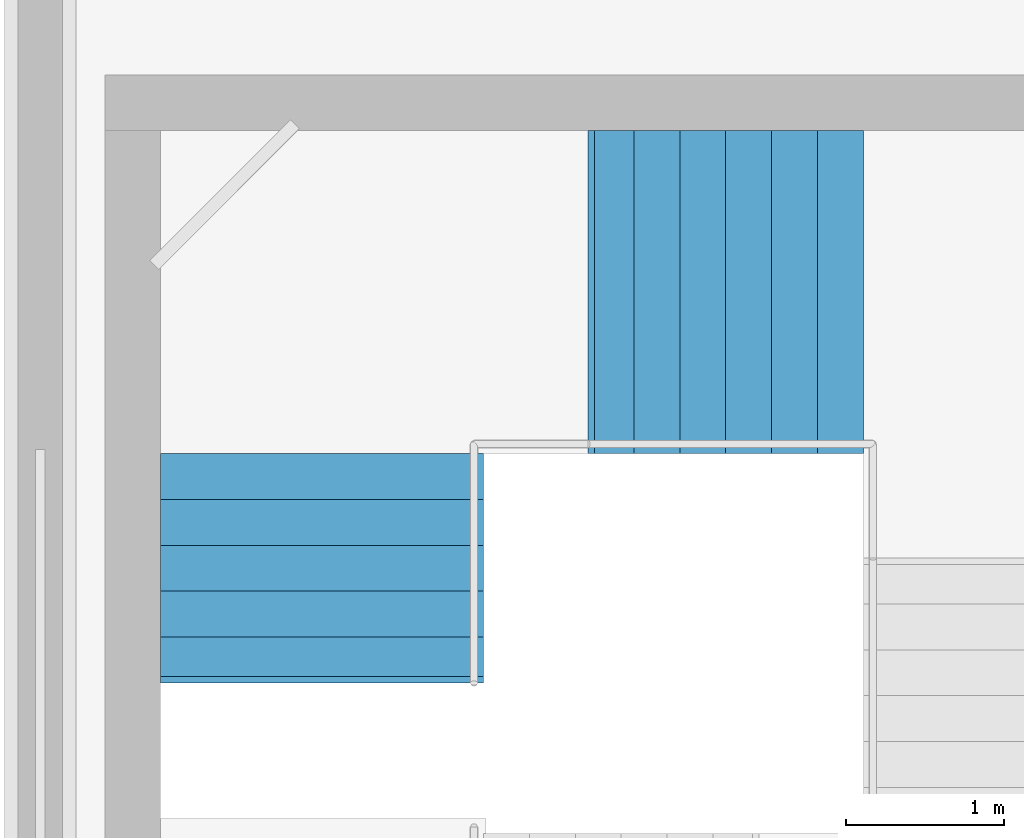
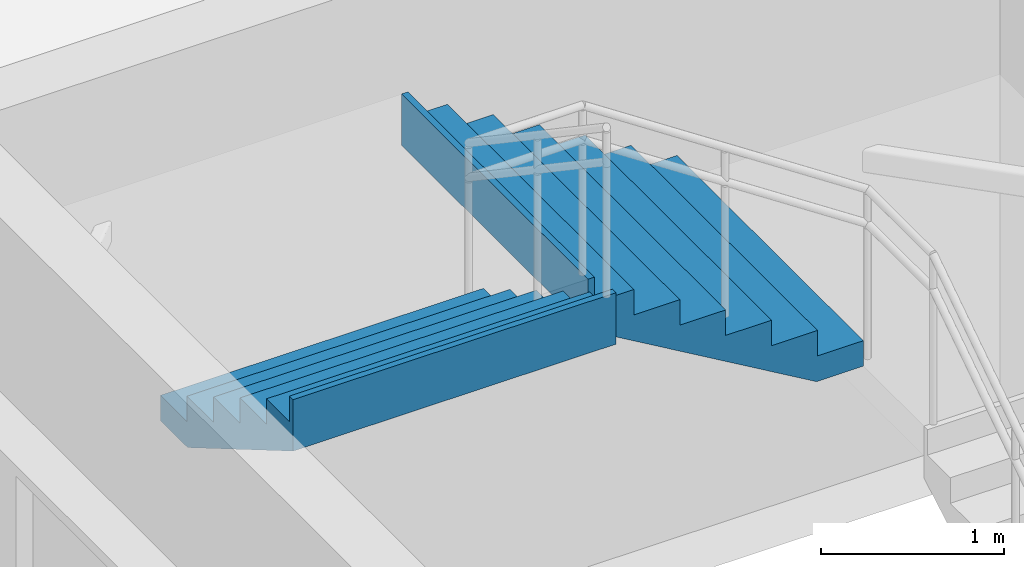
# One storey, part 52 of 58: 2 stair flights, 1 element without a shape of its own.
"""IFC4 building model written with IfcOpenShell, lengths in metres."""

from ifc_helpers import new_model, si_unit, direction, frame, origin, place, context, subcontext, project, spatial, triangles, material, type_object, element, aggregate, save


model = new_model("IFC4")

# Units and contexts
model_context = context("Model", 3, precision=1e-05, world=origin(), true_north=direction((0.0, 1.0)))
body_context = subcontext(model_context, "Body", "Model", "MODEL_VIEW")
ifc_project = project(units=[si_unit("LENGTHUNIT", "METRE"), si_unit("AREAUNIT", "SQUARE_METRE"), si_unit("VOLUMEUNIT", "CUBIC_METRE"), si_unit("PLANEANGLEUNIT", "RADIAN"), si_unit("MASSUNIT", "GRAM", prefix="KILO")], contexts=[model_context])

# Site, building, storey
site_placement = place(None, origin())
site = spatial("IfcSite", under=ifc_project, at=site_placement, CompositionType="ELEMENT")
building_placement = place(site_placement, origin())
building = spatial("IfcBuilding", under=site, at=building_placement, Name="Sillaruma Civic Art Gallery", CompositionType="ELEMENT")
storey_placement = place(building_placement, frame((0.0, 0.0, 28.56005859375)))
storey = spatial("IfcBuildingStorey", under=building, at=storey_placement, Name="L05", CompositionType="ELEMENT", Elevation=28.56005859375)

# Stair, stair flights
ifc_material = material(Name="Concrete H35 (35 MPa)", Category="concrete")
stair_type = type_object("IfcStairType", Name="STR-4F-27", PredefinedType="USERDEFINED", material=ifc_material)
stair_placement = place(storey_placement, origin())
stair = element("IfcStair", 1, at=stair_placement, inside=storey, type_object=stair_type, Name="Protected Exit Stair ST-02 (West Bar North) (L05)", ObjectType="THREE_RETURN_STAIR", PredefinedType="USERDEFINED")
stair_flight_type_1 = type_object("IfcStairFlightType", Name="SFL-STR-6", PredefinedType="STRAIGHT", material=ifc_material)
stair_flight_1_placement = place(storey_placement, frame((63.780029296875, 85.35009765625, 3.56982421875), z_axis=(0.0, 0.0, 1.0), x_axis=(0.0, -1.0, 0.0)))
stair_flight_1 = element("IfcStairFlight", 2, at=stair_flight_1_placement, type_object=stair_flight_type_1, Name="ST-02 flight 4", NumberOfRisers=6, NumberOfTreads=5, PredefinedType="STRAIGHT", RiserHeight=0.17, TreadLength=0.29, context=body_context, shape_type="Tessellation", body=[
    triangles([(0.0, -1.02001953125, 0.0), (0.29, -1.02001953125, 0.0), (0.296365, -1.02001953125, 0.0), (0.58, -1.02001953125, 0.166269), (0.87, -1.02001953125, 0.336269), (1.16, -1.02001953125, 0.506269), (1.409951, -1.02001953125, 0.652792), (1.449951, -1.02001953125, 0.67624), (1.449951, -1.02001953125, 1.02), (1.409951, -1.02001953125, 1.02), (1.409951, -1.02001953125, 0.85), (1.16, -1.02001953125, 0.85), (1.16, -1.02001953125, 0.68), (0.87, -1.02001953125, 0.68), (0.87, -1.02001953125, 0.51), (0.58, -1.02001953125, 0.51), (0.58, -1.02001953125, 0.34), (0.296365, -1.02001953125, 0.34), (0.29, -1.02001953125, 0.34), (0.29, -1.02001953125, 0.17), (0.0, -1.02001953125, 0.17), (0.0, -0.05, 0.0), (0.29, -0.05, 0.0), (0.296365, -0.05, 0.0), (0.58, -0.05, 0.166269), (0.87, -0.05, 0.336269), (1.16, -0.05, 0.506269), (1.409951, -0.05, 0.652792), (1.449951, -0.05, 0.67624), (1.449951, -0.05, 1.02), (1.409951, -0.05, 1.02), (1.409951, -0.05, 0.85), (1.16, -0.05, 0.85), (1.16, -0.05, 0.68), (0.87, -0.05, 0.68), (0.87, -0.05, 0.51), (0.58, -0.05, 0.51), (0.58, -0.05, 0.34), (0.296365, -0.05, 0.34), (0.29, -0.05, 0.34), (0.29, -0.05, 0.17), (0.0, -0.05, 0.17), (0.0, -0.0375, 0.0), (0.29, -0.0375, 0.0), (0.296365, -0.0375, 0.0), (0.58, -0.0375, 0.166269), (0.87, -0.0375, 0.336269), (1.16, -0.0375, 0.506269), (1.409951, -0.0375, 0.652792), (1.449951, -0.0375, 0.67624), (1.449951, -0.0375, 1.02), (1.409951, -0.0375, 1.02), (1.409951, -0.0375, 0.85), (1.16, -0.0375, 0.85), (1.16, -0.0375, 0.68), (0.87, -0.0375, 0.68), (0.87, -0.0375, 0.51), (0.58, -0.0375, 0.51), (0.58, -0.0375, 0.34), (0.296365, -0.0375, 0.34), (0.29, -0.0375, 0.34), (0.29, -0.0375, 0.17), (0.0, -0.0375, 0.17), (0.0, -0.025, 0.0), (0.29, -0.025, 0.0), (0.296365, -0.025, 0.0), (0.58, -0.025, 0.166269), (0.87, -0.025, 0.336269), (1.16, -0.025, 0.506269), (1.409951, -0.025, 0.652792), (1.449951, -0.025, 0.67624), (1.449951, -0.025, 1.02), (1.409951, -0.025, 1.02), (1.409951, -0.025, 0.85), (1.16, -0.025, 0.85), (1.16, -0.025, 0.68), (0.87, -0.025, 0.68), (0.87, -0.025, 0.51), (0.58, -0.025, 0.51), (0.58, -0.025, 0.34), (0.296365, -0.025, 0.34), (0.29, -0.025, 0.34), (0.29, -0.025, 0.17), (0.0, -0.025, 0.17), (0.0, -0.0125, 0.0), (0.29, -0.0125, 0.0), (0.296365, -0.0125, 0.0), (0.58, -0.0125, 0.166269), (0.87, -0.0125, 0.336269), (1.16, -0.0125, 0.506269), (1.409951, -0.0125, 0.652792), (1.449951, -0.0125, 0.67624), (1.449951, -0.0125, 1.02), (1.409951, -0.0125, 1.02), (1.409951, -0.0125, 0.85), (1.16, -0.0125, 0.85), (1.16, -0.0125, 0.68), (0.87, -0.0125, 0.68), (0.87, -0.0125, 0.51), (0.58, -0.0125, 0.51), (0.58, -0.0125, 0.34), (0.296365, -0.0125, 0.34), (0.29, -0.0125, 0.34), (0.29, -0.0125, 0.17), (0.0, -0.0125, 0.17), (0.0, 0.0, 0.0), (0.29, 0.0, 0.0), (0.296365, 0.0, 0.0), (0.58, 0.0, 0.166269), (0.87, 0.0, 0.336269), (1.16, 0.0, 0.506269), (1.409951, 0.0, 0.652792), (1.449951, 0.0, 0.67624), (1.449951, 0.0, 1.02), (1.409951, 0.0, 1.02), (1.409951, 0.0, 0.85), (1.16, 0.0, 0.85), (1.16, 0.0, 0.68), (0.87, 0.0, 0.68), (0.87, 0.0, 0.51), (0.58, 0.0, 0.51), (0.58, 0.0, 0.34), (0.296365, 0.0, 0.34), (0.29, 0.0, 0.34), (0.29, 0.0, 0.17), (0.0, 0.0, 0.17), (0.0, 0.0125, 0.0), (0.29, 0.0125, 0.0), (0.296365, 0.0125, 0.0), (0.58, 0.0125, 0.166269), (0.87, 0.0125, 0.336269), (1.16, 0.0125, 0.506269), (1.409951, 0.0125, 0.652792), (1.449951, 0.0125, 0.67624), (1.449951, 0.0125, 1.02), (1.409951, 0.0125, 1.02), (1.409951, 0.0125, 0.85), (1.16, 0.0125, 0.85), (1.16, 0.0125, 0.68), (0.87, 0.0125, 0.68), (0.87, 0.0125, 0.51), (0.58, 0.0125, 0.51), (0.58, 0.0125, 0.34), (0.296365, 0.0125, 0.34), (0.29, 0.0125, 0.34), (0.29, 0.0125, 0.17), (0.0, 0.0125, 0.17), (0.0, 0.025, 0.0), (0.29, 0.025, 0.0), (0.296365, 0.025, 0.0), (0.58, 0.025, 0.166269), (0.87, 0.025, 0.336269), (1.16, 0.025, 0.506269), (1.409951, 0.025, 0.652792), (1.449951, 0.025, 0.67624), (1.449951, 0.025, 1.02), (1.409951, 0.025, 1.02), (1.409951, 0.025, 0.85), (1.16, 0.025, 0.85), (1.16, 0.025, 0.68), (0.87, 0.025, 0.68), (0.87, 0.025, 0.51), (0.58, 0.025, 0.51), (0.58, 0.025, 0.34), (0.296365, 0.025, 0.34), (0.29, 0.025, 0.34), (0.29, 0.025, 0.17), (0.0, 0.025, 0.17), (0.0, 0.0375, 0.0), (0.29, 0.0375, 0.0), (0.296365, 0.0375, 0.0), (0.58, 0.0375, 0.166269), (0.87, 0.0375, 0.336269), (1.16, 0.0375, 0.506269), (1.409951, 0.0375, 0.652792), (1.449951, 0.0375, 0.67624), (1.449951, 0.0375, 1.02), (1.409951, 0.0375, 1.02), (1.409951, 0.0375, 0.85), (1.16, 0.0375, 0.85), (1.16, 0.0375, 0.68), (0.87, 0.0375, 0.68), (0.87, 0.0375, 0.51), (0.58, 0.0375, 0.51), (0.58, 0.0375, 0.34), (0.296365, 0.0375, 0.34), (0.29, 0.0375, 0.34), (0.29, 0.0375, 0.17), (0.0, 0.0375, 0.17), (0.0, 0.05, 0.0), (0.29, 0.05, 0.0), (0.296365, 0.05, 0.0), (0.58, 0.05, 0.166269), (0.87, 0.05, 0.336269), (1.16, 0.05, 0.506269), (1.409951, 0.05, 0.652792), (1.449951, 0.05, 0.67624), (1.449951, 0.05, 1.02), (1.409951, 0.05, 1.02), (1.409951, 0.05, 0.85), (1.16, 0.05, 0.85), (1.16, 0.05, 0.68), (0.87, 0.05, 0.68), (0.87, 0.05, 0.51), (0.58, 0.05, 0.51), (0.58, 0.05, 0.34), (0.296365, 0.05, 0.34), (0.29, 0.05, 0.34), (0.29, 0.05, 0.17), (0.0, 0.05, 0.17), (0.0, 1.02001953125, 0.0), (0.29, 1.02001953125, 0.0), (0.296365, 1.02001953125, 0.0), (0.58, 1.02001953125, 0.166269), (0.87, 1.02001953125, 0.336269), (1.16, 1.02001953125, 0.506269), (1.409951, 1.02001953125, 0.652792), (1.449951, 1.02001953125, 0.67624), (1.449951, 1.02001953125, 1.02), (1.409951, 1.02001953125, 1.02), (1.409951, 1.02001953125, 0.85), (1.16, 1.02001953125, 0.85), (1.16, 1.02001953125, 0.68), (0.87, 1.02001953125, 0.68), (0.87, 1.02001953125, 0.51), (0.58, 1.02001953125, 0.51), (0.58, 1.02001953125, 0.34), (0.296365, 1.02001953125, 0.34), (0.29, 1.02001953125, 0.34), (0.29, 1.02001953125, 0.17), (0.0, 1.02001953125, 0.17)], [[1, 2, 20], [1, 20, 21], [2, 3, 18], [2, 18, 20], [20, 18, 19], [3, 4, 17], [3, 17, 18], [4, 5, 15], [4, 15, 17], [17, 15, 16], [5, 6, 13], [5, 13, 15], [15, 13, 14], [6, 7, 11], [6, 11, 13], [13, 11, 12], [7, 8, 9], [7, 9, 11], [11, 9, 10], [230, 212, 211], [231, 230, 211], [228, 213, 212], [230, 228, 212], [229, 228, 230], [227, 214, 213], [228, 227, 213], [225, 215, 214], [227, 225, 214], [226, 225, 227], [223, 216, 215], [225, 223, 215], [224, 223, 225], [221, 217, 216], [223, 221, 216], [222, 221, 223], [219, 218, 217], [221, 219, 217], [220, 219, 221], [2, 1, 22], [2, 22, 23], [3, 2, 23], [3, 23, 24], [4, 3, 24], [4, 24, 25], [5, 4, 25], [5, 25, 26], [6, 5, 26], [6, 26, 27], [7, 6, 27], [7, 27, 28], [8, 7, 28], [8, 28, 29], [9, 8, 29], [9, 29, 30], [10, 9, 30], [10, 30, 31], [11, 10, 31], [11, 31, 32], [12, 11, 32], [12, 32, 33], [13, 12, 33], [13, 33, 34], [14, 13, 34], [14, 34, 35], [15, 14, 35], [15, 35, 36], [16, 15, 36], [16, 36, 37], [17, 16, 37], [17, 37, 38], [18, 17, 38], [18, 38, 39], [19, 18, 39], [19, 39, 40], [20, 19, 40], [20, 40, 41], [21, 20, 41], [21, 41, 42], [1, 21, 42], [1, 42, 22], [23, 22, 43], [23, 43, 44], [24, 23, 44], [24, 44, 45], [25, 24, 45], [25, 45, 46], [26, 25, 46], [26, 46, 47], [27, 26, 47], [27, 47, 48], [28, 27, 48], [28, 48, 49], [29, 28, 49], [29, 49, 50], [30, 29, 50], [30, 50, 51], [31, 30, 51], [31, 51, 52], [32, 31, 52], [32, 52, 53], [33, 32, 53], [33, 53, 54], [34, 33, 54], [34, 54, 55], [35, 34, 55], [35, 55, 56], [36, 35, 56], [36, 56, 57], [37, 36, 57], [37, 57, 58], [38, 37, 58], [38, 58, 59], [39, 38, 59], [39, 59, 60], [40, 39, 60], [40, 60, 61], [41, 40, 61], [41, 61, 62], [42, 41, 62], [42, 62, 63], [22, 42, 63], [22, 63, 43], [44, 43, 64], [44, 64, 65], [45, 44, 65], [45, 65, 66], [46, 45, 66], [46, 66, 67], [47, 46, 67], [47, 67, 68], [48, 47, 68], [48, 68, 69], [49, 48, 69], [49, 69, 70], [50, 49, 70], [50, 70, 71], [51, 50, 71], [51, 71, 72], [52, 51, 72], [52, 72, 73], [53, 52, 73], [53, 73, 74], [54, 53, 74], [54, 74, 75], [55, 54, 75], [55, 75, 76], [56, 55, 76], [56, 76, 77], [57, 56, 77], [57, 77, 78], [58, 57, 78], [58, 78, 79], [59, 58, 79], [59, 79, 80], [60, 59, 80], [60, 80, 81], [61, 60, 81], [61, 81, 82], [62, 61, 82], [62, 82, 83], [63, 62, 83], [63, 83, 84], [43, 63, 84], [43, 84, 64], [65, 64, 85], [65, 85, 86], [66, 65, 86], [66, 86, 87], [67, 66, 87], [67, 87, 88], [68, 67, 88], [68, 88, 89], [69, 68, 89], [69, 89, 90], [70, 69, 90], [70, 90, 91], [71, 70, 91], [71, 91, 92], [72, 71, 92], [72, 92, 93], [73, 72, 93], [73, 93, 94], [74, 73, 94], [74, 94, 95], [75, 74, 95], [75, 95, 96], [76, 75, 96], [76, 96, 97], [77, 76, 97], [77, 97, 98], [78, 77, 98], [78, 98, 99], [79, 78, 99], [79, 99, 100], [80, 79, 100], [80, 100, 101], [81, 80, 101], [81, 101, 102], [82, 81, 102], [82, 102, 103], [83, 82, 103], [83, 103, 104], [84, 83, 104], [84, 104, 105], [64, 84, 105], [64, 105, 85], [86, 85, 106], [86, 106, 107], [87, 86, 107], [87, 107, 108], [88, 87, 108], [88, 108, 109], [89, 88, 109], [89, 109, 110], [90, 89, 110], [90, 110, 111], [91, 90, 111], [91, 111, 112], [92, 91, 112], [92, 112, 113], [93, 92, 113], [93, 113, 114], [94, 93, 114], [94, 114, 115], [95, 94, 115], [95, 115, 116], [96, 95, 116], [96, 116, 117], [97, 96, 117], [97, 117, 118], [98, 97, 118], [98, 118, 119], [99, 98, 119], [99, 119, 120], [100, 99, 120], [100, 120, 121], [101, 100, 121], [101, 121, 122], [102, 101, 122], [102, 122, 123], [103, 102, 123], [103, 123, 124], [104, 103, 124], [104, 124, 125], [105, 104, 125], [105, 125, 126], [85, 105, 126], [85, 126, 106], [107, 106, 127], [107, 127, 128], [108, 107, 128], [108, 128, 129], [109, 108, 129], [109, 129, 130], [110, 109, 130], [110, 130, 131], [111, 110, 131], [111, 131, 132], [112, 111, 132], [112, 132, 133], [113, 112, 133], [113, 133, 134], [114, 113, 134], [114, 134, 135], [115, 114, 135], [115, 135, 136], [116, 115, 136], [116, 136, 137], [117, 116, 137], [117, 137, 138], [118, 117, 138], [118, 138, 139], [119, 118, 139], [119, 139, 140], [120, 119, 140], [120, 140, 141], [121, 120, 141], [121, 141, 142], [122, 121, 142], [122, 142, 143], [123, 122, 143], [123, 143, 144], [124, 123, 144], [124, 144, 145], [125, 124, 145], [125, 145, 146], [126, 125, 146], [126, 146, 147], [106, 126, 147], [106, 147, 127], [128, 127, 148], [128, 148, 149], [129, 128, 149], [129, 149, 150], [130, 129, 150], [130, 150, 151], [131, 130, 151], [131, 151, 152], [132, 131, 152], [132, 152, 153], [133, 132, 153], [133, 153, 154], [134, 133, 154], [134, 154, 155], [135, 134, 155], [135, 155, 156], [136, 135, 156], [136, 156, 157], [137, 136, 157], [137, 157, 158], [138, 137, 158], [138, 158, 159], [139, 138, 159], [139, 159, 160], [140, 139, 160], [140, 160, 161], [141, 140, 161], [141, 161, 162], [142, 141, 162], [142, 162, 163], [143, 142, 163], [143, 163, 164], [144, 143, 164], [144, 164, 165], [145, 144, 165], [145, 165, 166], [146, 145, 166], [146, 166, 167], [147, 146, 167], [147, 167, 168], [127, 147, 168], [127, 168, 148], [149, 148, 169], [149, 169, 170], [150, 149, 170], [150, 170, 171], [151, 150, 171], [151, 171, 172], [152, 151, 172], [152, 172, 173], [153, 152, 173], [153, 173, 174], [154, 153, 174], [154, 174, 175], [155, 154, 175], [155, 175, 176], [156, 155, 176], [156, 176, 177], [157, 156, 177], [157, 177, 178], [158, 157, 178], [158, 178, 179], [159, 158, 179], [159, 179, 180], [160, 159, 180], [160, 180, 181], [161, 160, 181], [161, 181, 182], [162, 161, 182], [162, 182, 183], [163, 162, 183], [163, 183, 184], [164, 163, 184], [164, 184, 185], [165, 164, 185], [165, 185, 186], [166, 165, 186], [166, 186, 187], [167, 166, 187], [167, 187, 188], [168, 167, 188], [168, 188, 189], [148, 168, 189], [148, 189, 169], [170, 169, 190], [170, 190, 191], [171, 170, 191], [171, 191, 192], [172, 171, 192], [172, 192, 193], [173, 172, 193], [173, 193, 194], [174, 173, 194], [174, 194, 195], [175, 174, 195], [175, 195, 196], [176, 175, 196], [176, 196, 197], [177, 176, 197], [177, 197, 198], [178, 177, 198], [178, 198, 199], [179, 178, 199], [179, 199, 200], [180, 179, 200], [180, 200, 201], [181, 180, 201], [181, 201, 202], [182, 181, 202], [182, 202, 203], [183, 182, 203], [183, 203, 204], [184, 183, 204], [184, 204, 205], [185, 184, 205], [185, 205, 206], [186, 185, 206], [186, 206, 207], [187, 186, 207], [187, 207, 208], [188, 187, 208], [188, 208, 209], [189, 188, 209], [189, 209, 210], [169, 189, 210], [169, 210, 190], [191, 190, 211], [191, 211, 212], [192, 191, 212], [192, 212, 213], [193, 192, 213], [193, 213, 214], [194, 193, 214], [194, 214, 215], [195, 194, 215], [195, 215, 216], [196, 195, 216], [196, 216, 217], [197, 196, 217], [197, 217, 218], [198, 197, 218], [198, 218, 219], [199, 198, 219], [199, 219, 220], [200, 199, 220], [200, 220, 221], [201, 200, 221], [201, 221, 222], [202, 201, 222], [202, 222, 223], [203, 202, 223], [203, 223, 224], [204, 203, 224], [204, 224, 225], [205, 204, 225], [205, 225, 226], [206, 205, 226], [206, 226, 227], [207, 206, 227], [207, 227, 228], [208, 207, 228], [208, 228, 229], [209, 208, 229], [209, 229, 230], [210, 209, 230], [210, 230, 231], [190, 210, 231], [190, 231, 211]], closed=True),
])
stair_flight_type_2 = type_object("IfcStairFlightType", Name="SFL-STR-7", PredefinedType="STRAIGHT", material=ifc_material)
stair_flight_2_placement = place(storey_placement, frame((67.199951171875, 86.3701171875, 2.3798828125), z_axis=(0.0, 0.0, 1.0), x_axis=(-1.0, 0.0, 0.0)))
stair_flight_2 = element("IfcStairFlight", 3, at=stair_flight_2_placement, type_object=stair_flight_type_2, Name="ST-02 flight 3", NumberOfRisers=7, NumberOfTreads=6, PredefinedType="STRAIGHT", RiserHeight=0.17, TreadLength=0.29, context=body_context, shape_type="Tessellation", body=[
    triangles([(0.0, -1.02001953125, 0.0), (0.29, -1.02001953125, 0.0), (0.296404, -1.02001953125, 0.0), (0.58, -1.02001953125, 0.166246), (0.87, -1.02001953125, 0.336246), (1.16, -1.02001953125, 0.506246), (1.45, -1.02001953125, 0.676246), (1.69999, -1.02001953125, 0.822792), (1.73999, -1.02001953125, 0.84624), (1.73999, -1.02001953125, 1.19), (1.69999, -1.02001953125, 1.19), (1.69999, -1.02001953125, 1.02), (1.45, -1.02001953125, 1.02), (1.45, -1.02001953125, 0.85), (1.16, -1.02001953125, 0.85), (1.16, -1.02001953125, 0.68), (0.87, -1.02001953125, 0.68), (0.87, -1.02001953125, 0.51), (0.58, -1.02001953125, 0.51), (0.58, -1.02001953125, 0.34), (0.296404, -1.02001953125, 0.34), (0.29, -1.02001953125, 0.34), (0.29, -1.02001953125, 0.17), (0.0, -1.02001953125, 0.17), (0.0, -0.05, 0.0), (0.29, -0.05, 0.0), (0.296404, -0.05, 0.0), (0.58, -0.05, 0.166246), (0.87, -0.05, 0.336246), (1.16, -0.05, 0.506246), (1.45, -0.05, 0.676246), (1.69999, -0.05, 0.822792), (1.73999, -0.05, 0.84624), (1.73999, -0.05, 1.19), (1.69999, -0.05, 1.19), (1.69999, -0.05, 1.02), (1.45, -0.05, 1.02), (1.45, -0.05, 0.85), (1.16, -0.05, 0.85), (1.16, -0.05, 0.68), (0.87, -0.05, 0.68), (0.87, -0.05, 0.51), (0.58, -0.05, 0.51), (0.58, -0.05, 0.34), (0.296404, -0.05, 0.34), (0.29, -0.05, 0.34), (0.29, -0.05, 0.17), (0.0, -0.05, 0.17), (0.0, -0.0375, 0.0), (0.29, -0.0375, 0.0), (0.296404, -0.0375, 0.0), (0.58, -0.0375, 0.166246), (0.87, -0.0375, 0.336246), (1.16, -0.0375, 0.506246), (1.45, -0.0375, 0.676246), (1.69999, -0.0375, 0.822792), (1.73999, -0.0375, 0.84624), (1.73999, -0.0375, 1.19), (1.69999, -0.0375, 1.19), (1.69999, -0.0375, 1.02), (1.45, -0.0375, 1.02), (1.45, -0.0375, 0.85), (1.16, -0.0375, 0.85), (1.16, -0.0375, 0.68), (0.87, -0.0375, 0.68), (0.87, -0.0375, 0.51), (0.58, -0.0375, 0.51), (0.58, -0.0375, 0.34), (0.296404, -0.0375, 0.34), (0.29, -0.0375, 0.34), (0.29, -0.0375, 0.17), (0.0, -0.0375, 0.17), (0.0, -0.025, 0.0), (0.29, -0.025, 0.0), (0.296404, -0.025, 0.0), (0.58, -0.025, 0.166246), (0.87, -0.025, 0.336246), (1.16, -0.025, 0.506246), (1.45, -0.025, 0.676246), (1.69999, -0.025, 0.822792), (1.73999, -0.025, 0.84624), (1.73999, -0.025, 1.19), (1.69999, -0.025, 1.19), (1.69999, -0.025, 1.02), (1.45, -0.025, 1.02), (1.45, -0.025, 0.85), (1.16, -0.025, 0.85), (1.16, -0.025, 0.68), (0.87, -0.025, 0.68), (0.87, -0.025, 0.51), (0.58, -0.025, 0.51), (0.58, -0.025, 0.34), (0.296404, -0.025, 0.34), (0.29, -0.025, 0.34), (0.29, -0.025, 0.17), (0.0, -0.025, 0.17), (0.0, -0.0125, 0.0), (0.29, -0.0125, 0.0), (0.296404, -0.0125, 0.0), (0.58, -0.0125, 0.166246), (0.87, -0.0125, 0.336246), (1.16, -0.0125, 0.506246), (1.45, -0.0125, 0.676246), (1.69999, -0.0125, 0.822792), (1.73999, -0.0125, 0.84624), (1.73999, -0.0125, 1.19), (1.69999, -0.0125, 1.19), (1.69999, -0.0125, 1.02), (1.45, -0.0125, 1.02), (1.45, -0.0125, 0.85), (1.16, -0.0125, 0.85), (1.16, -0.0125, 0.68), (0.87, -0.0125, 0.68), (0.87, -0.0125, 0.51), (0.58, -0.0125, 0.51), (0.58, -0.0125, 0.34), (0.296404, -0.0125, 0.34), (0.29, -0.0125, 0.34), (0.29, -0.0125, 0.17), (0.0, -0.0125, 0.17), (0.0, 0.0, 0.0), (0.29, 0.0, 0.0), (0.296404, 0.0, 0.0), (0.58, 0.0, 0.166246), (0.87, 0.0, 0.336246), (1.16, 0.0, 0.506246), (1.45, 0.0, 0.676246), (1.69999, 0.0, 0.822792), (1.73999, 0.0, 0.84624), (1.73999, 0.0, 1.19), (1.69999, 0.0, 1.19), (1.69999, 0.0, 1.02), (1.45, 0.0, 1.02), (1.45, 0.0, 0.85), (1.16, 0.0, 0.85), (1.16, 0.0, 0.68), (0.87, 0.0, 0.68), (0.87, 0.0, 0.51), (0.58, 0.0, 0.51), (0.58, 0.0, 0.34), (0.296404, 0.0, 0.34), (0.29, 0.0, 0.34), (0.29, 0.0, 0.17), (0.0, 0.0, 0.17), (0.0, 0.0125, 0.0), (0.29, 0.0125, 0.0), (0.296404, 0.0125, 0.0), (0.58, 0.0125, 0.166246), (0.87, 0.0125, 0.336246), (1.16, 0.0125, 0.506246), (1.45, 0.0125, 0.676246), (1.69999, 0.0125, 0.822792), (1.73999, 0.0125, 0.84624), (1.73999, 0.0125, 1.19), (1.69999, 0.0125, 1.19), (1.69999, 0.0125, 1.02), (1.45, 0.0125, 1.02), (1.45, 0.0125, 0.85), (1.16, 0.0125, 0.85), (1.16, 0.0125, 0.68), (0.87, 0.0125, 0.68), (0.87, 0.0125, 0.51), (0.58, 0.0125, 0.51), (0.58, 0.0125, 0.34), (0.296404, 0.0125, 0.34), (0.29, 0.0125, 0.34), (0.29, 0.0125, 0.17), (0.0, 0.0125, 0.17), (0.0, 0.025, 0.0), (0.29, 0.025, 0.0), (0.296404, 0.025, 0.0), (0.58, 0.025, 0.166246), (0.87, 0.025, 0.336246), (1.16, 0.025, 0.506246), (1.45, 0.025, 0.676246), (1.69999, 0.025, 0.822792), (1.73999, 0.025, 0.84624), (1.73999, 0.025, 1.19), (1.69999, 0.025, 1.19), (1.69999, 0.025, 1.02), (1.45, 0.025, 1.02), (1.45, 0.025, 0.85), (1.16, 0.025, 0.85), (1.16, 0.025, 0.68), (0.87, 0.025, 0.68), (0.87, 0.025, 0.51), (0.58, 0.025, 0.51), (0.58, 0.025, 0.34), (0.296404, 0.025, 0.34), (0.29, 0.025, 0.34), (0.29, 0.025, 0.17), (0.0, 0.025, 0.17), (0.0, 0.0375, 0.0), (0.29, 0.0375, 0.0), (0.296404, 0.0375, 0.0), (0.58, 0.0375, 0.166246), (0.87, 0.0375, 0.336246), (1.16, 0.0375, 0.506246), (1.45, 0.0375, 0.676246), (1.69999, 0.0375, 0.822792), (1.73999, 0.0375, 0.84624), (1.73999, 0.0375, 1.19), (1.69999, 0.0375, 1.19), (1.69999, 0.0375, 1.02), (1.45, 0.0375, 1.02), (1.45, 0.0375, 0.85), (1.16, 0.0375, 0.85), (1.16, 0.0375, 0.68), (0.87, 0.0375, 0.68), (0.87, 0.0375, 0.51), (0.58, 0.0375, 0.51), (0.58, 0.0375, 0.34), (0.296404, 0.0375, 0.34), (0.29, 0.0375, 0.34), (0.29, 0.0375, 0.17), (0.0, 0.0375, 0.17), (0.0, 0.05, 0.0), (0.29, 0.05, 0.0), (0.296404, 0.05, 0.0), (0.58, 0.05, 0.166246), (0.87, 0.05, 0.336246), (1.16, 0.05, 0.506246), (1.45, 0.05, 0.676246), (1.69999, 0.05, 0.822792), (1.73999, 0.05, 0.84624), (1.73999, 0.05, 1.19), (1.69999, 0.05, 1.19), (1.69999, 0.05, 1.02), (1.45, 0.05, 1.02), (1.45, 0.05, 0.85), (1.16, 0.05, 0.85), (1.16, 0.05, 0.68), (0.87, 0.05, 0.68), (0.87, 0.05, 0.51), (0.58, 0.05, 0.51), (0.58, 0.05, 0.34), (0.296404, 0.05, 0.34), (0.29, 0.05, 0.34), (0.29, 0.05, 0.17), (0.0, 0.05, 0.17), (0.0, 1.02001953125, 0.0), (0.29, 1.02001953125, 0.0), (0.296404, 1.02001953125, 0.0), (0.58, 1.02001953125, 0.166246), (0.87, 1.02001953125, 0.336246), (1.16, 1.02001953125, 0.506246), (1.45, 1.02001953125, 0.676246), (1.69999, 1.02001953125, 0.822792), (1.73999, 1.02001953125, 0.84624), (1.73999, 1.02001953125, 1.19), (1.69999, 1.02001953125, 1.19), (1.69999, 1.02001953125, 1.02), (1.45, 1.02001953125, 1.02), (1.45, 1.02001953125, 0.85), (1.16, 1.02001953125, 0.85), (1.16, 1.02001953125, 0.68), (0.87, 1.02001953125, 0.68), (0.87, 1.02001953125, 0.51), (0.58, 1.02001953125, 0.51), (0.58, 1.02001953125, 0.34), (0.296404, 1.02001953125, 0.34), (0.29, 1.02001953125, 0.34), (0.29, 1.02001953125, 0.17), (0.0, 1.02001953125, 0.17)], [[1, 2, 23], [1, 23, 24], [2, 3, 21], [2, 21, 23], [23, 21, 22], [3, 4, 20], [3, 20, 21], [4, 5, 18], [4, 18, 20], [20, 18, 19], [5, 6, 16], [5, 16, 18], [18, 16, 17], [6, 7, 14], [6, 14, 16], [16, 14, 15], [7, 8, 12], [7, 12, 14], [14, 12, 13], [8, 9, 10], [8, 10, 12], [12, 10, 11], [263, 242, 241], [264, 263, 241], [261, 243, 242], [263, 261, 242], [262, 261, 263], [260, 244, 243], [261, 260, 243], [258, 245, 244], [260, 258, 244], [259, 258, 260], [256, 246, 245], [258, 256, 245], [257, 256, 258], [254, 247, 246], [256, 254, 246], [255, 254, 256], [252, 248, 247], [254, 252, 247], [253, 252, 254], [250, 249, 248], [252, 250, 248], [251, 250, 252], [2, 1, 25], [2, 25, 26], [3, 2, 26], [3, 26, 27], [4, 3, 27], [4, 27, 28], [5, 4, 28], [5, 28, 29], [6, 5, 29], [6, 29, 30], [7, 6, 30], [7, 30, 31], [8, 7, 31], [8, 31, 32], [9, 8, 32], [9, 32, 33], [10, 9, 33], [10, 33, 34], [11, 10, 34], [11, 34, 35], [12, 11, 35], [12, 35, 36], [13, 12, 36], [13, 36, 37], [14, 13, 37], [14, 37, 38], [15, 14, 38], [15, 38, 39], [16, 15, 39], [16, 39, 40], [17, 16, 40], [17, 40, 41], [18, 17, 41], [18, 41, 42], [19, 18, 42], [19, 42, 43], [20, 19, 43], [20, 43, 44], [21, 20, 44], [21, 44, 45], [22, 21, 45], [22, 45, 46], [23, 22, 46], [23, 46, 47], [24, 23, 47], [24, 47, 48], [1, 24, 48], [1, 48, 25], [26, 25, 49], [26, 49, 50], [27, 26, 50], [27, 50, 51], [28, 27, 51], [28, 51, 52], [29, 28, 52], [29, 52, 53], [30, 29, 53], [30, 53, 54], [31, 30, 54], [31, 54, 55], [32, 31, 55], [32, 55, 56], [33, 32, 56], [33, 56, 57], [34, 33, 57], [34, 57, 58], [35, 34, 58], [35, 58, 59], [36, 35, 59], [36, 59, 60], [37, 36, 60], [37, 60, 61], [38, 37, 61], [38, 61, 62], [39, 38, 62], [39, 62, 63], [40, 39, 63], [40, 63, 64], [41, 40, 64], [41, 64, 65], [42, 41, 65], [42, 65, 66], [43, 42, 66], [43, 66, 67], [44, 43, 67], [44, 67, 68], [45, 44, 68], [45, 68, 69], [46, 45, 69], [46, 69, 70], [47, 46, 70], [47, 70, 71], [48, 47, 71], [48, 71, 72], [25, 48, 72], [25, 72, 49], [50, 49, 73], [50, 73, 74], [51, 50, 74], [51, 74, 75], [52, 51, 75], [52, 75, 76], [53, 52, 76], [53, 76, 77], [54, 53, 77], [54, 77, 78], [55, 54, 78], [55, 78, 79], [56, 55, 79], [56, 79, 80], [57, 56, 80], [57, 80, 81], [58, 57, 81], [58, 81, 82], [59, 58, 82], [59, 82, 83], [60, 59, 83], [60, 83, 84], [61, 60, 84], [61, 84, 85], [62, 61, 85], [62, 85, 86], [63, 62, 86], [63, 86, 87], [64, 63, 87], [64, 87, 88], [65, 64, 88], [65, 88, 89], [66, 65, 89], [66, 89, 90], [67, 66, 90], [67, 90, 91], [68, 67, 91], [68, 91, 92], [69, 68, 92], [69, 92, 93], [70, 69, 93], [70, 93, 94], [71, 70, 94], [71, 94, 95], [72, 71, 95], [72, 95, 96], [49, 72, 96], [49, 96, 73], [74, 73, 97], [74, 97, 98], [75, 74, 98], [75, 98, 99], [76, 75, 99], [76, 99, 100], [77, 76, 100], [77, 100, 101], [78, 77, 101], [78, 101, 102], [79, 78, 102], [79, 102, 103], [80, 79, 103], [80, 103, 104], [81, 80, 104], [81, 104, 105], [82, 81, 105], [82, 105, 106], [83, 82, 106], [83, 106, 107], [84, 83, 107], [84, 107, 108], [85, 84, 108], [85, 108, 109], [86, 85, 109], [86, 109, 110], [87, 86, 110], [87, 110, 111], [88, 87, 111], [88, 111, 112], [89, 88, 112], [89, 112, 113], [90, 89, 113], [90, 113, 114], [91, 90, 114], [91, 114, 115], [92, 91, 115], [92, 115, 116], [93, 92, 116], [93, 116, 117], [94, 93, 117], [94, 117, 118], [95, 94, 118], [95, 118, 119], [96, 95, 119], [96, 119, 120], [73, 96, 120], [73, 120, 97], [98, 97, 121], [98, 121, 122], [99, 98, 122], [99, 122, 123], [100, 99, 123], [100, 123, 124], [101, 100, 124], [101, 124, 125], [102, 101, 125], [102, 125, 126], [103, 102, 126], [103, 126, 127], [104, 103, 127], [104, 127, 128], [105, 104, 128], [105, 128, 129], [106, 105, 129], [106, 129, 130], [107, 106, 130], [107, 130, 131], [108, 107, 131], [108, 131, 132], [109, 108, 132], [109, 132, 133], [110, 109, 133], [110, 133, 134], [111, 110, 134], [111, 134, 135], [112, 111, 135], [112, 135, 136], [113, 112, 136], [113, 136, 137], [114, 113, 137], [114, 137, 138], [115, 114, 138], [115, 138, 139], [116, 115, 139], [116, 139, 140], [117, 116, 140], [117, 140, 141], [118, 117, 141], [118, 141, 142], [119, 118, 142], [119, 142, 143], [120, 119, 143], [120, 143, 144], [97, 120, 144], [97, 144, 121], [122, 121, 145], [122, 145, 146], [123, 122, 146], [123, 146, 147], [124, 123, 147], [124, 147, 148], [125, 124, 148], [125, 148, 149], [126, 125, 149], [126, 149, 150], [127, 126, 150], [127, 150, 151], [128, 127, 151], [128, 151, 152], [129, 128, 152], [129, 152, 153], [130, 129, 153], [130, 153, 154], [131, 130, 154], [131, 154, 155], [132, 131, 155], [132, 155, 156], [133, 132, 156], [133, 156, 157], [134, 133, 157], [134, 157, 158], [135, 134, 158], [135, 158, 159], [136, 135, 159], [136, 159, 160], [137, 136, 160], [137, 160, 161], [138, 137, 161], [138, 161, 162], [139, 138, 162], [139, 162, 163], [140, 139, 163], [140, 163, 164], [141, 140, 164], [141, 164, 165], [142, 141, 165], [142, 165, 166], [143, 142, 166], [143, 166, 167], [144, 143, 167], [144, 167, 168], [121, 144, 168], [121, 168, 145], [146, 145, 169], [146, 169, 170], [147, 146, 170], [147, 170, 171], [148, 147, 171], [148, 171, 172], [149, 148, 172], [149, 172, 173], [150, 149, 173], [150, 173, 174], [151, 150, 174], [151, 174, 175], [152, 151, 175], [152, 175, 176], [153, 152, 176], [153, 176, 177], [154, 153, 177], [154, 177, 178], [155, 154, 178], [155, 178, 179], [156, 155, 179], [156, 179, 180], [157, 156, 180], [157, 180, 181], [158, 157, 181], [158, 181, 182], [159, 158, 182], [159, 182, 183], [160, 159, 183], [160, 183, 184], [161, 160, 184], [161, 184, 185], [162, 161, 185], [162, 185, 186], [163, 162, 186], [163, 186, 187], [164, 163, 187], [164, 187, 188], [165, 164, 188], [165, 188, 189], [166, 165, 189], [166, 189, 190], [167, 166, 190], [167, 190, 191], [168, 167, 191], [168, 191, 192], [145, 168, 192], [145, 192, 169], [170, 169, 193], [170, 193, 194], [171, 170, 194], [171, 194, 195], [172, 171, 195], [172, 195, 196], [173, 172, 196], [173, 196, 197], [174, 173, 197], [174, 197, 198], [175, 174, 198], [175, 198, 199], [176, 175, 199], [176, 199, 200], [177, 176, 200], [177, 200, 201], [178, 177, 201], [178, 201, 202], [179, 178, 202], [179, 202, 203], [180, 179, 203], [180, 203, 204], [181, 180, 204], [181, 204, 205], [182, 181, 205], [182, 205, 206], [183, 182, 206], [183, 206, 207], [184, 183, 207], [184, 207, 208], [185, 184, 208], [185, 208, 209], [186, 185, 209], [186, 209, 210], [187, 186, 210], [187, 210, 211], [188, 187, 211], [188, 211, 212], [189, 188, 212], [189, 212, 213], [190, 189, 213], [190, 213, 214], [191, 190, 214], [191, 214, 215], [192, 191, 215], [192, 215, 216], [169, 192, 216], [169, 216, 193], [194, 193, 217], [194, 217, 218], [195, 194, 218], [195, 218, 219], [196, 195, 219], [196, 219, 220], [197, 196, 220], [197, 220, 221], [198, 197, 221], [198, 221, 222], [199, 198, 222], [199, 222, 223], [200, 199, 223], [200, 223, 224], [201, 200, 224], [201, 224, 225], [202, 201, 225], [202, 225, 226], [203, 202, 226], [203, 226, 227], [204, 203, 227], [204, 227, 228], [205, 204, 228], [205, 228, 229], [206, 205, 229], [206, 229, 230], [207, 206, 230], [207, 230, 231], [208, 207, 231], [208, 231, 232], [209, 208, 232], [209, 232, 233], [210, 209, 233], [210, 233, 234], [211, 210, 234], [211, 234, 235], [212, 211, 235], [212, 235, 236], [213, 212, 236], [213, 236, 237], [214, 213, 237], [214, 237, 238], [215, 214, 238], [215, 238, 239], [216, 215, 239], [216, 239, 240], [193, 216, 240], [193, 240, 217], [218, 217, 241], [218, 241, 242], [219, 218, 242], [219, 242, 243], [220, 219, 243], [220, 243, 244], [221, 220, 244], [221, 244, 245], [222, 221, 245], [222, 245, 246], [223, 222, 246], [223, 246, 247], [224, 223, 247], [224, 247, 248], [225, 224, 248], [225, 248, 249], [226, 225, 249], [226, 249, 250], [227, 226, 250], [227, 250, 251], [228, 227, 251], [228, 251, 252], [229, 228, 252], [229, 252, 253], [230, 229, 253], [230, 253, 254], [231, 230, 254], [231, 254, 255], [232, 231, 255], [232, 255, 256], [233, 232, 256], [233, 256, 257], [234, 233, 257], [234, 257, 258], [235, 234, 258], [235, 258, 259], [236, 235, 259], [236, 259, 260], [237, 236, 260], [237, 260, 261], [238, 237, 261], [238, 261, 262], [239, 238, 262], [239, 262, 263], [240, 239, 263], [240, 263, 264], [217, 240, 264], [217, 264, 241]], closed=True),
])
aggregate(stair, [stair_flight_2, stair_flight_1])

save(model, "model.ifc")
